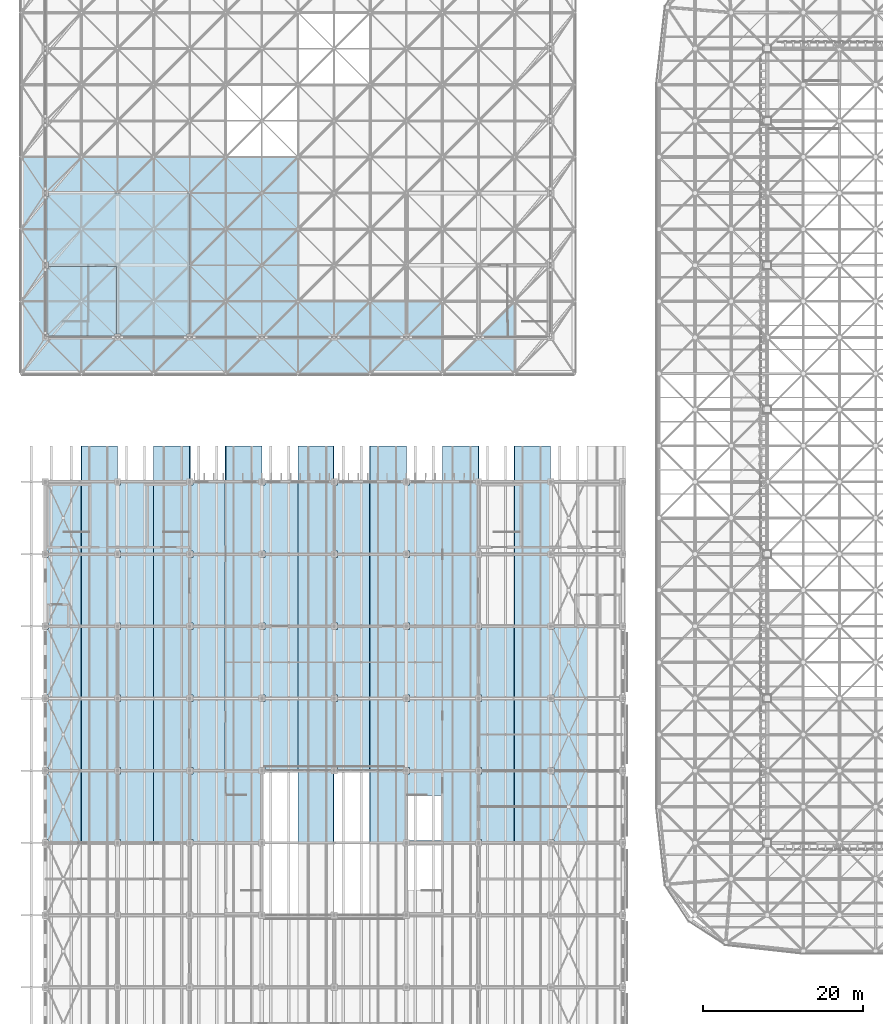
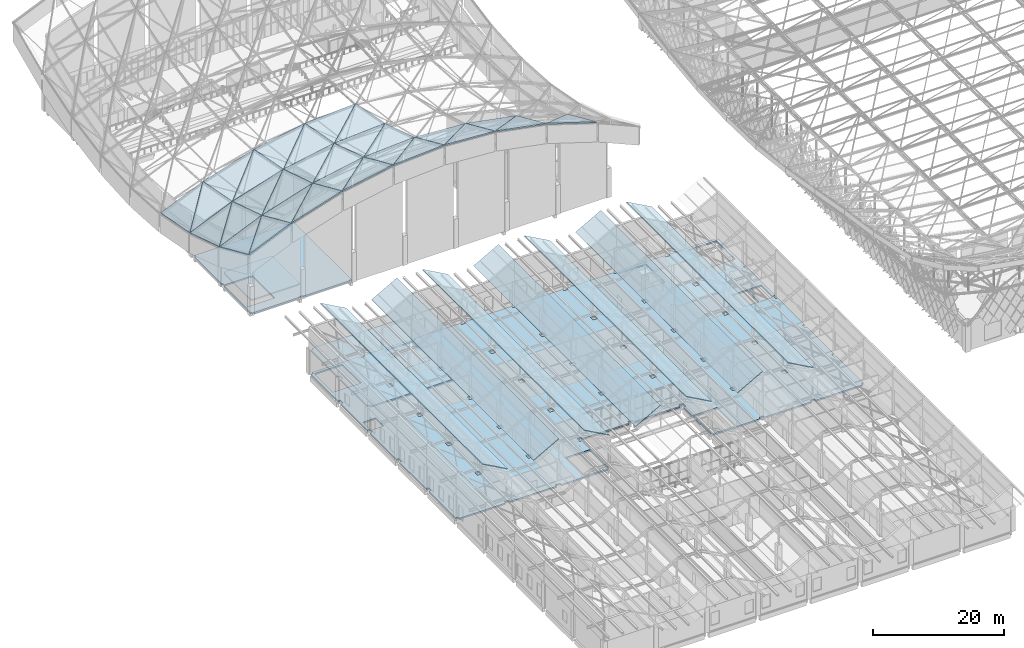
# One storey, part 240 of 437: 41 slabs.
"""IFC4 building model written with IfcOpenShell, lengths in metres."""

from ifc_helpers import new_model, si_unit, direction, frame, origin, place, context, subcontext, project, spatial, polyline, outline, extrude, material, layer, layer_set, type_object, element, save


model = new_model("IFC4")

# Units and contexts
model_context = context("Model", 3, precision=1e-05, world=origin(), true_north=direction((0.0, 1.0)))
body_context = subcontext(model_context, "Body", "Model", "MODEL_VIEW")
ifc_project = project(units=[si_unit("LENGTHUNIT", "METRE"), si_unit("AREAUNIT", "SQUARE_METRE"), si_unit("VOLUMEUNIT", "CUBIC_METRE"), si_unit("PLANEANGLEUNIT", "RADIAN"), si_unit("MASSUNIT", "GRAM", prefix="KILO")], contexts=[model_context])

# Site, building, storey
site_placement = place(None, origin())
site = spatial("IfcSite", under=ifc_project, at=site_placement, CompositionType="ELEMENT")
building_placement = place(site_placement, origin())
building = spatial("IfcBuilding", under=site, at=building_placement, Name="Opaline Strait Convention Centre", CompositionType="ELEMENT")
storey_placement = place(building_placement, frame((0.0, 0.0, 11.5)))
storey = spatial("IfcBuildingStorey", under=building, at=storey_placement, Name="L02", CompositionType="ELEMENT", Elevation=11.5)

# Slabs
ifc_material_1 = material(Name="Concrete C35", Category="concrete")
ifc_layer_1 = layer(ifc_material_1, 0.25)
ifc_layer_set_1 = layer_set([ifc_layer_1], Name="Concrete C35")
slab_type_1 = type_object("IfcSlabType", Name="Core roof slab 250", PredefinedType="ROOF", material=ifc_layer_set_1)
slab_1_placement = place(storey_placement, frame((0.0, 0.0, 2.25)))
element("IfcSlab", 1, at=slab_1_placement, inside=storey, type_object=slab_type_1, Name="PFS10 SW core roof slab", PredefinedType="ROOF", context=body_context, shape_type="SweptSolid", body=[
    extrude(outline(polyline([(17.85009765625, 125.85009765625), (17.85009765625, 117.39990234375), (17.60009765625, 117.39990234375), (17.60009765625, 117.25), (9.39990234375, 117.25), (9.39990234375, 117.39990234375), (9.199951171875, 117.39990234375), (9.199951171875, 125.60009765625), (9.39990234375, 125.60009765625), (9.39990234375, 125.85009765625), (17.85009765625, 125.85009765625)])), origin(), (0.0, 0.0, 1.0), 0.25),
])
ifc_layer_2 = layer(ifc_material_1, 0.280029296875)
ifc_layer_set_2 = layer_set([ifc_layer_2], Name="Concrete C35")
slab_type_2 = type_object("IfcSlabType", Name="Floor slab 280 C35", PredefinedType="FLOOR", material=ifc_layer_set_2)
slab_2_placement = place(storey_placement, frame((0.0, 0.0, -0.280029296875)))
element("IfcSlab", 2, at=slab_2_placement, inside=storey, type_object=slab_type_2, Name="PFS2 L02 wing w l02 slab", PredefinedType="FLOOR", context=body_context, shape_type="SweptSolid", body=[
    extrude(outline(polyline([(18.39990234375, 117.25), (18.39990234375, 117.39990234375), (17.60009765625, 117.39990234375), (17.60009765625, 117.25), (9.39990234375, 117.25), (9.39990234375, 117.39990234375), (9.199951171875, 117.39990234375), (9.199951171875, 125.60009765625), (9.39990234375, 125.60009765625), (9.39990234375, 119.05078125), (14.35009765625, 119.05078125), (14.35009765625, 125.85009765625), (9.39990234375, 125.85009765625), (9.39990234375, 126.39990234375), (9.199951171875, 126.39990234375), (9.199951171875, 134.60009765625), (9.39990234375, 134.60009765625), (9.39990234375, 135.0), (27.0, 135.0), (27.0, 117.39990234375), (26.60009765625, 117.39990234375), (26.60009765625, 117.25), (18.39990234375, 117.25)])), origin(), (0.0, 0.0, 1.0), 0.280029296875),
])
ifc_layer_3 = layer(ifc_material_1, 0.25)
ifc_layer_set_3 = layer_set([ifc_layer_3], Name="Concrete C35")
slab_type_3 = type_object("IfcSlabType", Name="RC core roof slab 250 C35", PredefinedType="ROOF", material=ifc_layer_set_3)
slab_3_placement = place(storey_placement, frame((0.0, 0.0, 4.300048828125)))
element("IfcSlab", 3, at=slab_3_placement, inside=storey, type_object=slab_type_3, Name="RS3 core roof slab NW", PredefinedType="ROOF", context=body_context, shape_type="SweptSolid", body=[
    extrude(outline(polyline([(27.0, 81.39990234375), (26.60009765625, 81.39990234375), (26.60009765625, 81.0), (18.39990234375, 81.0), (18.39990234375, 81.39990234375), (17.60009765625, 81.39990234375), (17.60009765625, 81.0), (9.39990234375, 81.0), (9.39990234375, 81.39990234375), (9.0, 81.39990234375), (9.0, 89.60009765625), (9.39990234375, 89.60009765625), (9.39990234375, 90.39990234375), (9.0, 90.39990234375), (9.0, 98.60009765625), (9.39990234375, 98.60009765625), (9.39990234375, 99.0), (17.60009765625, 99.0), (17.60009765625, 98.60009765625), (18.39990234375, 98.60009765625), (18.39990234375, 99.0), (26.60009765625, 99.0), (26.60009765625, 98.60009765625), (27.0, 98.60009765625), (27.0, 90.39990234375), (26.60009765625, 90.39990234375), (26.60009765625, 89.60009765625), (27.0, 89.60009765625), (27.0, 81.39990234375)]), holes=[polyline([(17.60009765625, 90.39990234375), (17.60009765625, 89.60009765625), (18.39990234375, 89.60009765625), (18.39990234375, 90.39990234375), (17.60009765625, 90.39990234375)])]), origin(), (0.0, 0.0, 1.0), 0.25),
])
ifc_layer_4 = layer(ifc_material_1, 0.280029296875)
ifc_layer_set_4 = layer_set([ifc_layer_4], Name="Concrete C35")
slab_type_4 = type_object("IfcSlabType", Name="RC floor slab 280 C35", PredefinedType="FLOOR", material=ifc_layer_set_4)
slab_4_placement = place(storey_placement, frame((0.0, 0.0, -0.280029296875)))
element("IfcSlab", 4, at=slab_4_placement, inside=storey, type_object=slab_type_4, Name="XS2 slab L02 pour NW1", PredefinedType="FLOOR", context=body_context, shape_type="SweptSolid", body=[
    extrude(outline(polyline([(9.39990234375, 54.39990234375), (9.0, 54.39990234375), (9.0, 62.60009765625), (9.39990234375, 62.60009765625), (9.39990234375, 63.39990234375), (9.0, 63.39990234375), (9.0, 71.60009765625), (9.39990234375, 71.60009765625), (9.39990234375, 72.39990234375), (9.0, 72.39990234375), (9.0, 80.60009765625), (9.39990234375, 80.60009765625), (9.39990234375, 81.39990234375), (9.0, 81.39990234375), (9.0, 89.60009765625), (9.39990234375, 89.60009765625), (9.39990234375, 90.39990234375), (9.0, 90.39990234375), (9.0, 98.60009765625), (9.39990234375, 98.60009765625), (9.39990234375, 99.0), (17.60009765625, 99.0), (17.60009765625, 98.60009765625), (18.39990234375, 98.60009765625), (18.39990234375, 99.0), (26.60009765625, 99.0), (26.60009765625, 98.60009765625), (27.39990234375, 98.60009765625), (27.39990234375, 99.0), (35.60009765625, 99.0), (35.60009765625, 98.60009765625), (36.39990234375, 98.60009765625), (36.39990234375, 99.0), (44.60009765625, 99.0), (44.60009765625, 98.60009765625), (45.0, 98.60009765625), (45.0, 90.39990234375), (44.60009765625, 90.39990234375), (44.60009765625, 89.60009765625), (45.0, 89.60009765625), (45.0, 81.39990234375), (44.60009765625, 81.39990234375), (44.60009765625, 80.60009765625), (45.0, 80.60009765625), (45.0, 72.39990234375), (44.60009765625, 72.39990234375), (44.60009765625, 71.60009765625), (45.0, 71.60009765625), (45.0, 63.39990234375), (44.60009765625, 63.39990234375), (44.60009765625, 63.0), (36.39990234375, 63.0), (36.39990234375, 63.39990234375), (35.60009765625, 63.39990234375), (35.60009765625, 62.60009765625), (36.0, 62.60009765625), (36.0, 54.39990234375), (35.85009765625, 54.39990234375), (35.85009765625, 59.899169921875), (31.64990234375, 59.899169921875), (31.64990234375, 54.300048828125), (35.60009765625, 54.300048828125), (35.60009765625, 54.0), (27.39990234375, 54.0), (27.39990234375, 54.39990234375), (26.60009765625, 54.39990234375), (26.60009765625, 54.0), (18.39990234375, 54.0), (18.39990234375, 54.39990234375), (17.60009765625, 54.39990234375), (17.60009765625, 54.0), (9.39990234375, 54.0), (9.39990234375, 54.39990234375)]), holes=[polyline([(17.60009765625, 62.60009765625), (18.39990234375, 62.60009765625), (18.39990234375, 63.39990234375), (17.60009765625, 63.39990234375), (17.60009765625, 62.60009765625)]), polyline([(17.60009765625, 71.60009765625), (18.39990234375, 71.60009765625), (18.39990234375, 72.39990234375), (17.60009765625, 72.39990234375), (17.60009765625, 71.60009765625)]), polyline([(17.60009765625, 80.60009765625), (18.39990234375, 80.60009765625), (18.39990234375, 81.39990234375), (17.60009765625, 81.39990234375), (17.60009765625, 80.60009765625)]), polyline([(9.5, 81.14990234375), (11.699951171875, 81.14990234375), (11.699951171875, 83.550048828125), (9.5, 83.550048828125), (9.5, 81.14990234375)]), polyline([(17.60009765625, 89.60009765625), (18.39990234375, 89.60009765625), (18.39990234375, 90.39990234375), (17.60009765625, 90.39990234375), (17.60009765625, 89.60009765625)]), polyline([(21.89990234375, 92.80078125), (26.85009765625, 92.80078125), (26.85009765625, 98.5), (21.89990234375, 98.5), (21.89990234375, 92.80078125)]), polyline([(9.5, 92.80078125), (14.449951171875, 92.80078125), (14.449951171875, 98.5), (9.5, 98.5), (9.5, 92.80078125)]), polyline([(26.60009765625, 62.60009765625), (27.39990234375, 62.60009765625), (27.39990234375, 63.39990234375), (26.60009765625, 63.39990234375), (26.60009765625, 62.60009765625)]), polyline([(26.60009765625, 71.60009765625), (27.39990234375, 71.60009765625), (27.39990234375, 72.39990234375), (26.60009765625, 72.39990234375), (26.60009765625, 71.60009765625)]), polyline([(35.60009765625, 71.60009765625), (36.39990234375, 71.60009765625), (36.39990234375, 72.39990234375), (35.60009765625, 72.39990234375), (35.60009765625, 71.60009765625)]), polyline([(35.60009765625, 80.60009765625), (36.39990234375, 80.60009765625), (36.39990234375, 81.39990234375), (35.60009765625, 81.39990234375), (35.60009765625, 80.60009765625)]), polyline([(26.60009765625, 80.60009765625), (27.39990234375, 80.60009765625), (27.39990234375, 81.39990234375), (26.60009765625, 81.39990234375), (26.60009765625, 80.60009765625)]), polyline([(35.60009765625, 89.60009765625), (36.39990234375, 89.60009765625), (36.39990234375, 90.39990234375), (35.60009765625, 90.39990234375), (35.60009765625, 89.60009765625)]), polyline([(26.60009765625, 89.60009765625), (27.39990234375, 89.60009765625), (27.39990234375, 90.39990234375), (26.60009765625, 90.39990234375), (26.60009765625, 89.60009765625)])]), origin(), (0.0, 0.0, 1.0), 0.280029296875),
])
slab_5_placement = place(storey_placement, frame((0.0, 0.0, -0.280029296875)))
element("IfcSlab", 5, at=slab_5_placement, inside=storey, type_object=slab_type_4, Name="XS2 slab L02 pour NE1", PredefinedType="FLOOR", context=body_context, shape_type="SweptSolid", body=[
    extrude(outline(polyline([(45.39990234375, 98.60009765625), (45.39990234375, 99.0), (53.60009765625, 99.0), (53.60009765625, 98.60009765625), (54.39990234375, 98.60009765625), (54.39990234375, 99.0), (62.60009765625, 99.0), (62.60009765625, 98.60009765625), (63.39990234375, 98.60009765625), (63.39990234375, 99.0), (71.60009765625, 99.0), (71.60009765625, 98.60009765625), (72.39990234375, 98.60009765625), (72.39990234375, 99.0), (80.60009765625, 99.0), (80.60009765625, 98.60009765625), (81.0, 98.60009765625), (81.0, 90.39990234375), (80.60009765625, 90.39990234375), (80.60009765625, 89.60009765625), (81.0, 89.60009765625), (81.0, 81.39990234375), (80.60009765625, 81.39990234375), (80.60009765625, 80.60009765625), (81.0, 80.60009765625), (81.0, 72.39990234375), (80.60009765625, 72.39990234375), (80.60009765625, 71.60009765625), (81.0, 71.60009765625), (81.0, 63.39990234375), (80.60009765625, 63.39990234375), (80.60009765625, 62.60009765625), (81.0, 62.60009765625), (81.0, 54.39990234375), (80.60009765625, 54.39990234375), (80.60009765625, 54.0), (72.39990234375, 54.0), (72.39990234375, 54.39990234375), (71.60009765625, 54.39990234375), (71.60009765625, 54.0), (63.39990234375, 54.0), (63.39990234375, 54.39990234375), (62.60009765625, 54.39990234375), (62.60009765625, 54.0), (54.39990234375, 54.0), (54.39990234375, 54.300048828125), (58.35009765625, 54.300048828125), (58.35009765625, 59.899169921875), (54.14990234375, 59.899169921875), (54.14990234375, 54.39990234375), (54.0, 54.39990234375), (54.0, 62.60009765625), (54.39990234375, 62.60009765625), (54.39990234375, 63.39990234375), (53.60009765625, 63.39990234375), (53.60009765625, 63.0), (45.39990234375, 63.0), (45.39990234375, 63.39990234375), (45.0, 63.39990234375), (45.0, 71.60009765625), (45.39990234375, 71.60009765625), (45.39990234375, 72.39990234375), (45.0, 72.39990234375), (45.0, 80.60009765625), (45.39990234375, 80.60009765625), (45.39990234375, 81.39990234375), (45.0, 81.39990234375), (45.0, 89.60009765625), (45.39990234375, 89.60009765625), (45.39990234375, 90.39990234375), (45.0, 90.39990234375), (45.0, 98.60009765625), (45.39990234375, 98.60009765625)]), holes=[polyline([(62.60009765625, 62.60009765625), (63.39990234375, 62.60009765625), (63.39990234375, 63.39990234375), (62.60009765625, 63.39990234375), (62.60009765625, 62.60009765625)]), polyline([(62.60009765625, 71.60009765625), (63.39990234375, 71.60009765625), (63.39990234375, 72.39990234375), (62.60009765625, 72.39990234375), (62.60009765625, 71.60009765625)]), polyline([(53.60009765625, 71.60009765625), (54.39990234375, 71.60009765625), (54.39990234375, 72.39990234375), (53.60009765625, 72.39990234375), (53.60009765625, 71.60009765625)]), polyline([(53.60009765625, 80.60009765625), (54.39990234375, 80.60009765625), (54.39990234375, 81.39990234375), (53.60009765625, 81.39990234375), (53.60009765625, 80.60009765625)]), polyline([(62.60009765625, 80.60009765625), (63.39990234375, 80.60009765625), (63.39990234375, 81.39990234375), (62.60009765625, 81.39990234375), (62.60009765625, 80.60009765625)]), polyline([(62.60009765625, 89.60009765625), (63.39990234375, 89.60009765625), (63.39990234375, 90.39990234375), (62.60009765625, 90.39990234375), (62.60009765625, 89.60009765625)]), polyline([(53.60009765625, 89.60009765625), (54.39990234375, 89.60009765625), (54.39990234375, 90.39990234375), (53.60009765625, 90.39990234375), (53.60009765625, 89.60009765625)]), polyline([(71.60009765625, 62.60009765625), (72.39990234375, 62.60009765625), (72.39990234375, 63.39990234375), (71.60009765625, 63.39990234375), (71.60009765625, 62.60009765625)]), polyline([(71.60009765625, 71.60009765625), (72.39990234375, 71.60009765625), (72.39990234375, 72.39990234375), (71.60009765625, 72.39990234375), (71.60009765625, 71.60009765625)]), polyline([(71.60009765625, 80.60009765625), (72.39990234375, 80.60009765625), (72.39990234375, 81.39990234375), (71.60009765625, 81.39990234375), (71.60009765625, 80.60009765625)]), polyline([(75.300048828125, 81.14990234375), (78.0, 81.14990234375), (78.0, 84.75), (75.300048828125, 84.75), (75.300048828125, 81.14990234375)]), polyline([(78.300048828125, 81.14990234375), (80.5, 81.14990234375), (80.5, 84.75), (78.300048828125, 84.75), (78.300048828125, 81.14990234375)]), polyline([(71.60009765625, 89.60009765625), (72.39990234375, 89.60009765625), (72.39990234375, 90.39990234375), (71.60009765625, 90.39990234375), (71.60009765625, 89.60009765625)]), polyline([(75.550048828125, 92.80078125), (80.5, 92.80078125), (80.5, 98.5), (75.550048828125, 98.5), (75.550048828125, 92.80078125)]), polyline([(63.14990234375, 92.80078125), (68.10009765625, 92.80078125), (68.10009765625, 98.5), (63.14990234375, 98.5), (63.14990234375, 92.80078125)])]), origin(), (0.0, 0.0, 1.0), 0.280029296875),
])
ifc_material_2 = material(Name="Concrete C30", Category="concrete")
ifc_layer_5 = layer(ifc_material_2, 0.14990234375)
ifc_layer_set_5 = layer_set([ifc_layer_5], Name="Concrete C30")
slab_type_5 = type_object("IfcSlabType", Name="Roof deck 150 C30", PredefinedType="ROOF", material=ifc_layer_set_5)
for number, where, z_axis, x_axis, name in (
    (6, (13.5, 54.0, 8.75), (0.485642931179, 0.0, 0.874157276122), (0.874157276122, 0.0, -0.485642931179), "RS4 roof deck facet 2 north pour"),
    (7, (22.5, 54.0, 6.25), (-0.485642931179, 0.0, 0.874157276122), (0.874157276122, 0.0, 0.485642931179), "RS4 roof deck facet 4 north pour"),
    (8, (31.5, 54.0, 8.75), (0.485642931179, 0.0, 0.874157276122), (0.874157276122, 0.0, -0.485642931179), "RS4 roof deck facet 6 north pour"),
):
    element("IfcSlab", number, at=place(storey_placement, frame(where, z_axis=z_axis, x_axis=x_axis)), inside=storey, type_object=slab_type_5, Name=name, PredefinedType="ROOF", context=body_context, shape_type="SweptSolid", body=[
        extrude(outline(polyline([(0.0, 0.0), (5.1478150704935, 0.0), (5.1478150704935, 49.5), (0.0, 49.5), (0.0, 0.0)])), origin(), (0.0, 0.0, -1.0), 0.14990234375),
    ])
slab_6_placement = place(storey_placement, frame((40.5, 54.0, 6.25), z_axis=(-0.485634739414, 0.0, 0.874161827051), x_axis=(0.874161827051, 0.0, 0.485634739414)))
element("IfcSlab", 9, at=slab_6_placement, inside=storey, type_object=slab_type_5, Name="RS4 roof deck facet 8 north pour", PredefinedType="ROOF", context=body_context, shape_type="SweptSolid", body=[
    extrude(outline(polyline([(0.0, 0.0), (5.060930515059539, 0.0), (5.060930515059539, 49.5), (0.0, 49.5), (0.0, 0.0)])), origin(), (0.0, 0.0, -1.0), 0.14990234375),
])
for number, where, z_axis, x_axis, name in (
    (10, (49.5, 54.0, 8.75), (0.485642931179, 0.0, 0.874157276122), (0.874157276122, 0.0, -0.485642931179), "RS4 roof deck facet 10 north pour"),
    (11, (58.5, 54.0, 6.25), (-0.485642931179, 0.0, 0.874157276122), (0.874157276122, 0.0, 0.485642931179), "RS4 roof deck facet 12 north pour"),
    (12, (67.5, 54.0, 8.75), (0.485642931179, 0.0, 0.874157276122), (0.874157276122, 0.0, -0.485642931179), "RS4 roof deck facet 14 north pour"),
):
    element("IfcSlab", number, at=place(storey_placement, frame(where, z_axis=z_axis, x_axis=x_axis)), inside=storey, type_object=slab_type_5, Name=name, PredefinedType="ROOF", context=body_context, shape_type="SweptSolid", body=[
        extrude(outline(polyline([(0.0, 0.0), (5.1478150704935, 0.0), (5.1478150704935, 49.5), (0.0, 49.5), (0.0, 0.0)])), origin(), (0.0, 0.0, -1.0), 0.14990234375),
    ])
ifc_material_3 = material(Name="Steel Q235-B profiled roof deck with insulation and membrane", Category="steel")
ifc_layer_6 = layer(ifc_material_3, 0.199951171875)
ifc_layer_set_6 = layer_set([ifc_layer_6], Name="Steel Q235-B profiled roof deck with insulation and membrane")
slab_type_6 = type_object("IfcSlabType", Name="Shell roof deck panel 200", PredefinedType="ROOF", material=ifc_layer_set_6)
slab_7_placement = place(storey_placement, frame((6.03857421875, 112.523193359375, 14.98779296875), z_axis=(-0.368571911623, 0.377550318462, 0.849476605323), x_axis=(0.917372173394, 0.0, 0.398030520792)))
element("IfcSlab", 13, at=slab_7_placement, inside=storey, type_object=slab_type_6, Name="PRD1 roof deck 1-1a", PredefinedType="ROOF", context=body_context, shape_type="SweptSolid", body=[
    extrude(outline(polyline([(0.0, 0.0), (8.112453034563291, -2.220446049250313e-16), (6.532575054328767, 9.644459481906674), (0.0, 0.0)])), origin(), (0.0, 0.0, -1.0), 0.199951171875),
])
slab_8_placement = place(storey_placement, frame((6.019287109375, 112.546142578125, 14.96923828125), z_axis=(-0.368571911623, 0.377550318462, 0.849476605323), x_axis=(0.638886365564, 0.766672022188, -0.063547008509)))
element("IfcSlab", 14, at=slab_8_placement, inside=storey, type_object=slab_type_6, Name="PRD1 roof deck 1-1b", PredefinedType="ROOF", context=body_context, shape_type="SweptSolid", body=[
    extrude(outline(polyline([(0.0, 0.0), (11.648610884503698, 1.6653345369377348e-16), (7.099123495110161, 6.71669998821924), (0.0, 0.0)])), origin(), (0.0, 0.0, -1.0), 0.199951171875),
])
slab_9_placement = place(storey_placement, frame((6.03857421875, 121.523193359375, 10.982421875), z_axis=(-0.382153424554, 0.279619637498, 0.88077898387), x_axis=(0.917372173394, 0.0, 0.398030520792)))
element("IfcSlab", 15, at=slab_9_placement, inside=storey, type_object=slab_type_6, Name="PRD1 roof deck 1-2a", PredefinedType="ROOF", context=body_context, shape_type="SweptSolid", body=[
    extrude(outline(polyline([(0.0, 0.0), (8.112453034563291, 0.0), (6.983954880764329, 9.301700938491148), (0.0, 0.0)])), origin(), (0.0, 0.0, -1.0), 0.199951171875),
])
slab_10_placement = place(storey_placement, frame((6.019287109375, 121.546142578125, 10.966796875), z_axis=(-0.382153424554, 0.279619637498, 0.88077898387), x_axis=(0.639813276259, 0.767784327184, 0.033855552754)))
element("IfcSlab", 16, at=slab_10_placement, inside=storey, type_object=slab_type_6, Name="PRD1 roof deck 1-2b", PredefinedType="ROOF", context=body_context, shape_type="SweptSolid", body=[
    extrude(outline(polyline([(0.0, 0.0), (11.631735301565241, -5.551115123125783e-17), (6.76083646344557, 6.487390750278543), (0.0, 0.0)])), origin(), (0.0, 0.0, -1.0), 0.199951171875),
])
slab_11_placement = place(storey_placement, frame((6.03857421875, 130.523193359375, 8.12255859375), z_axis=(-0.392065593497, 0.172116642778, 0.903692664391), x_axis=(0.917383161964, 0.0, 0.398005193615)))
element("IfcSlab", 17, at=slab_11_placement, inside=storey, type_object=slab_type_6, Name="PRD1 roof deck 1-3a", PredefinedType="ROOF", context=body_context, shape_type="SweptSolid", body=[
    extrude(outline(polyline([(0.0, 0.0), (8.112355862234853, 1.1102230246251565e-16), (7.435377789989298, 9.065959212598178), (0.0, 0.0)])), origin(), (0.0, 0.0, -1.0), 0.199951171875),
])
slab_12_placement = place(storey_placement, frame((6.019287109375, 130.546142578125, 8.10986328125), z_axis=(-0.39208901457, 0.172138614499, 0.903678317794), x_axis=(0.634722054518, 0.761674794287, 0.130305108328)))
element("IfcSlab", 18, at=slab_12_placement, inside=storey, type_object=slab_type_6, Name="PRD1 roof deck 1-3b", PredefinedType="ROOF", context=body_context, shape_type="SweptSolid", body=[
    extrude(outline(polyline([(0.0, 0.0), (11.725035578809981, -8.881784197001252e-16), (6.580590327195701, 6.272685014500443), (0.0, 0.0)])), origin(), (0.0, 0.0, -1.0), 0.199951171875),
])
slab_13_placement = place(storey_placement, frame((13.546142578125, 112.523193359375, 18.232421875), z_axis=(-0.278596033271, 0.390063237076, 0.87763028738), x_axis=(0.953129515183, 0.0, 0.30256260061)))
element("IfcSlab", 19, at=slab_13_placement, inside=storey, type_object=slab_type_6, Name="PRD1 roof deck 2-1a", PredefinedType="ROOF", context=body_context, shape_type="SweptSolid", body=[
    extrude(outline(polyline([(0.0, 0.0), (9.36983266202657, 0.0), (8.168889605212192, 9.69893545214416), (0.0, 0.0)])), origin(), (0.0, 0.0, -1.0), 0.199951171875),
])
slab_14_placement = place(storey_placement, frame((13.523193359375, 112.546142578125, 18.214599609375), z_axis=(-0.278598640449, 0.390042895089, 0.877638500483), x_axis=(0.704273480481, 0.704273480481, -0.089430025064)))
element("IfcSlab", 20, at=slab_14_placement, inside=storey, type_object=slab_type_6, Name="PRD1 roof deck 2-1b", PredefinedType="ROOF", context=body_context, shape_type="SweptSolid", body=[
    extrude(outline(polyline([(0.0, 0.0), (12.680676342382055, -3.3306690738754696e-16), (6.644577107775828, 7.166538225975357), (0.0, 0.0)])), origin(), (0.0, 0.0, -1.0), 0.199951171875),
])
slab_15_placement = place(storey_placement, frame((13.546142578125, 121.523193359375, 14.2265625), z_axis=(-0.289618114012, 0.289618114012, 0.912273366964), x_axis=(0.953122000875, 0.0, 0.302586271082)))
element("IfcSlab", 21, at=slab_15_placement, inside=storey, type_object=slab_type_6, Name="PRD1 roof deck 2-2a", PredefinedType="ROOF", context=body_context, shape_type="SweptSolid", body=[
    extrude(outline(polyline([(0.0, 0.0), (9.369906532738456, 2.220446049250313e-16), (8.51201240039683, 9.330550149372147), (0.0, 0.0)])), origin(), (0.0, 0.0, -1.0), 0.199951171875),
])
slab_16_placement = place(storey_placement, frame((13.523193359375, 121.546142578125, 14.2119140625), z_axis=(-0.289618114012, 0.289618114012, 0.912273366964), x_axis=(0.707106781187, 0.707106781187, 0.0)))
element("IfcSlab", 22, at=slab_16_placement, inside=storey, type_object=slab_type_6, Name="PRD1 roof deck 2-2b", PredefinedType="ROOF", context=body_context, shape_type="SweptSolid", body=[
    extrude(outline(polyline([(0.0, 0.0), (12.629866238185503, 0.0), (6.314933119092752, 6.922193881540757), (0.0, 0.0)])), origin(), (0.0, 0.0, -1.0), 0.199951171875),
])
slab_17_placement = place(storey_placement, frame((13.546142578125, 130.523193359375, 11.366455078125), z_axis=(-0.297697203384, 0.178613194624, 0.937802592129), x_axis=(0.953129515183, 0.0, 0.30256260061)))
element("IfcSlab", 23, at=slab_17_placement, inside=storey, type_object=slab_type_6, Name="PRD1 roof deck 2-3a", PredefinedType="ROOF", context=body_context, shape_type="SweptSolid", body=[
    extrude(outline(polyline([(0.0, 0.0), (9.36983266202657, 5.551115123125783e-17), (8.855195543264989, 9.076621860074809), (0.0, 0.0)])), origin(), (0.0, 0.0, -1.0), 0.199951171875),
])
slab_18_placement = place(storey_placement, frame((13.523193359375, 130.546142578125, 11.354736328125), z_axis=(-0.297719204738, 0.178636650186, 0.937791140042), x_axis=(0.704273480481, 0.704273480481, 0.089430025064)))
element("IfcSlab", 24, at=slab_18_placement, inside=storey, type_object=slab_type_6, Name="PRD1 roof deck 2-3b", PredefinedType="ROOF", context=body_context, shape_type="SweptSolid", body=[
    extrude(outline(polyline([(0.0, 0.0), (12.680676342382055, 5.551115123125783e-17), (6.13749401888265, 6.706855709920984), (0.0, 0.0)])), origin(), (0.0, 0.0, -1.0), 0.199951171875),
])
slab_19_placement = place(storey_placement, frame((22.546142578125, 112.523193359375, 21.077880859375), z_axis=(-0.171467599431, 0.400107472936, 0.900284884049), x_axis=(0.982341621958, 0.0, 0.187096065615)))
element("IfcSlab", 25, at=slab_19_placement, inside=storey, type_object=slab_type_6, Name="PRD1 roof deck 3-1a", PredefinedType="ROOF", context=body_context, shape_type="SweptSolid", body=[
    extrude(outline(polyline([(0.0, 0.0), (9.091199907316696, -1.1102230246251565e-16), (8.348616719158256, 9.744652138183746), (0.0, 0.0)])), origin(), (0.0, 0.0, -1.0), 0.199951171875),
])
slab_20_placement = place(storey_placement, frame((22.523193359375, 112.546142578125, 21.063232421875), z_axis=(-0.171465910927, 0.400128144087, 0.900276018618), x_axis=(0.695971316144, 0.695971316144, -0.176770625979)))
element("IfcSlab", 26, at=slab_20_placement, inside=storey, type_object=slab_type_6, Name="PRD1 roof deck 3-1b", PredefinedType="ROOF", context=body_context, shape_type="SweptSolid", body=[
    extrude(outline(polyline([(0.0, 0.0), (12.831942718525609, 3.3306690738754696e-16), (6.917130757255044, 6.903978216767905), (0.0, 0.0)])), origin(), (0.0, 0.0, -1.0), 0.199951171875),
])
slab_21_placement = place(storey_placement, frame((22.546142578125, 121.523193359375, 17.072021484375), z_axis=(-0.178611831392, 0.297720568101, 0.937795434525), x_axis=(0.982341621958, 0.0, 0.187096065615)))
element("IfcSlab", 27, at=slab_21_placement, inside=storey, type_object=slab_type_6, Name="PRD1 roof deck 3-2a", PredefinedType="ROOF", context=body_context, shape_type="SweptSolid", body=[
    extrude(outline(polyline([(0.0, 0.0), (9.091199907316696, 0.0), (8.560744191988901, 9.354879217089385), (0.0, 0.0)])), origin(), (0.0, 0.0, -1.0), 0.199951171875),
])
slab_22_placement = place(storey_placement, frame((22.523193359375, 121.546142578125, 17.06005859375), z_axis=(-0.178613194624, 0.297697203384, 0.937802592129), x_axis=(0.704273480481, 0.704273480481, -0.089430025064)))
element("IfcSlab", 28, at=slab_22_placement, inside=storey, type_object=slab_type_6, Name="PRD1 roof deck 3-2b", PredefinedType="ROOF", context=body_context, shape_type="SweptSolid", body=[
    extrude(outline(polyline([(0.0, 0.0), (12.680676342382055, -4.996003610813204e-16), (6.5431604899971925, 6.706773808361184), (0.0, 0.0)])), origin(), (0.0, 0.0, -1.0), 0.199951171875),
])
slab_23_placement = place(storey_placement, frame((22.546142578125, 130.523193359375, 14.21142578125), z_axis=(-0.183929571369, 0.183929571369, 0.965577457044), x_axis=(0.982336685972, 0.0, 0.187121979985)))
element("IfcSlab", 29, at=slab_23_placement, inside=storey, type_object=slab_type_6, Name="PRD1 roof deck 3-3a", PredefinedType="ROOF", context=body_context, shape_type="SweptSolid", body=[
    extrude(outline(polyline([(0.0, 0.0), (9.091245588230473, 5.551115123125783e-17), (8.7729189386856, 9.085670833224675), (0.0, 0.0)])), origin(), (0.0, 0.0, -1.0), 0.199951171875),
])
slab_24_placement = place(storey_placement, frame((22.523193359375, 130.546142578125, 14.20263671875), z_axis=(-0.183904960669, 0.183904960669, 0.965586832389), x_axis=(0.707106781187, 0.707106781187, 0.0)))
element("IfcSlab", 30, at=slab_24_placement, inside=storey, type_object=slab_type_6, Name="PRD1 roof deck 3-3b", PredefinedType="ROOF", context=body_context, shape_type="SweptSolid", body=[
    extrude(outline(polyline([(0.0, 0.0), (12.629866238185503, 0.0), (6.314933119092752, 6.539995065455369), (0.0, 0.0)])), origin(), (0.0, 0.0, -1.0), 0.199951171875),
])
slab_25_placement = place(storey_placement, frame((31.546142578125, 112.523193359375, 22.783203125), z_axis=(-0.05793368214, 0.405460957481, 0.912274684748), x_axis=(0.997989658383, 0.0, 0.063376981313)))
element("IfcSlab", 31, at=slab_25_placement, inside=storey, type_object=slab_type_6, Name="PRD1 roof deck 4-1a", PredefinedType="ROOF", context=body_context, shape_type="SweptSolid", body=[
    extrude(outline(polyline([(0.0, 0.0), (8.948653913878061, -5.551115123125783e-17), (8.697095573501036, 9.769766196381378), (0.0, 0.0)])), origin(), (0.0, 0.0, -1.0), 0.199951171875),
])
slab_26_placement = place(storey_placement, frame((31.523193359375, 112.546142578125, 22.771484375), z_axis=(-0.057909412182, 0.405440703636, 0.912285227226), x_axis=(0.682769682417, 0.682769682417, -0.260098292085)))
element("IfcSlab", 32, at=slab_26_placement, inside=storey, type_object=slab_type_6, Name="PRD1 roof deck 4-1b", PredefinedType="ROOF", context=body_context, shape_type="SweptSolid", body=[
    extrude(outline(polyline([(0.0, 0.0), (13.080053629346004, -4.440892098500626e-16), (7.129915262994524, 6.683859919841403), (0.0, 0.0)])), origin(), (0.0, 0.0, -1.0), 0.199951171875),
])
slab_27_placement = place(storey_placement, frame((31.546142578125, 121.523193359375, 18.777099609375), z_axis=(-0.060417105682, 0.30203351196, 0.95138085486), x_axis=(0.997989658383, 0.0, 0.063376981313)))
element("IfcSlab", 33, at=slab_27_placement, inside=storey, type_object=slab_type_6, Name="PRD1 roof deck 4-2a", PredefinedType="ROOF", context=body_context, shape_type="SweptSolid", body=[
    extrude(outline(polyline([(0.0, 0.0), (8.948653913878061, -2.7755575615628914e-17), (8.76896717462364, 9.368183447605567), (0.0, 0.0)])), origin(), (0.0, 0.0, -1.0), 0.199951171875),
])
slab_28_placement = place(storey_placement, frame((31.523193359375, 121.546142578125, 18.768310546875), z_axis=(-0.060391666713, 0.302010350504, 0.951389822722), x_axis=(0.695973656748, 0.695973656748, -0.176752194401)))
element("IfcSlab", 34, at=slab_28_placement, inside=storey, type_object=slab_type_6, Name="PRD1 roof deck 4-2b", PredefinedType="ROOF", context=body_context, shape_type="SweptSolid", body=[
    extrude(outline(polyline([(0.0, 0.0), (12.831899563884445, -7.771561172376096e-16), (6.71659249151055, 6.5330811580267385), (0.0, 0.0)])), origin(), (0.0, 0.0, -1.0), 0.199951171875),
])
slab_29_placement = place(storey_placement, frame((31.546142578125, 130.523193359375, 15.916748046875), z_axis=(-0.06226191224, 0.186758934348, 0.98043080058), x_axis=(0.997989658383, 0.0, 0.063376981313)))
element("IfcSlab", 35, at=slab_29_placement, inside=storey, type_object=slab_type_6, Name="PRD1 roof deck 4-3a", PredefinedType="ROOF", context=body_context, shape_type="SweptSolid", body=[
    extrude(outline(polyline([(0.0, 0.0), (8.948653913878061, -1.3877787807814457e-17), (8.840838775746242, 9.090606263693838), (0.0, 0.0)])), origin(), (0.0, 0.0, -1.0), 0.199951171875),
])
slab_30_placement = place(storey_placement, frame((31.523193359375, 130.546142578125, 15.910888671875), z_axis=(-0.062235525206, 0.186733378169, 0.980437343679), x_axis=(0.704273480481, 0.704273480481, -0.089430025064)))
element("IfcSlab", 36, at=slab_30_placement, inside=storey, type_object=slab_type_6, Name="PRD1 roof deck 4-3b", PredefinedType="ROOF", context=body_context, shape_type="SweptSolid", body=[
    extrude(outline(polyline([(0.0, 0.0), (12.680676342382055, 5.551115123125783e-17), (6.441743872218557, 6.415126782810277), (0.0, 0.0)])), origin(), (0.0, 0.0, -1.0), 0.199951171875),
])
slab_31_placement = place(storey_placement, frame((40.546142578125, 112.523193359375, 23.348876953125), z_axis=(0.057908826624, 0.405461543173, 0.912276002538), x_axis=(0.997991383615, 0.0, -0.063349808441)))
element("IfcSlab", 37, at=slab_31_placement, inside=storey, type_object=slab_type_6, Name="PRD1 roof deck 5-1a", PredefinedType="ROOF", context=body_context, shape_type="SweptSolid", body=[
    extrude(outline(polyline([(0.0, 0.0), (8.94863844429923, 2.7755575615628914e-17), (9.200088929071272, 9.769768972922407), (0.0, 0.0)])), origin(), (0.0, 0.0, -1.0), 0.199951171875),
])
slab_32_placement = place(storey_placement, frame((40.523193359375, 112.546142578125, 23.340087890625), z_axis=(0.057908826624, 0.405461543173, 0.912276002538), x_axis=(0.665486006069, 0.665486006069, -0.338018862569)))
element("IfcSlab", 38, at=slab_32_placement, inside=storey, type_object=slab_type_6, Name="PRD1 roof deck 5-1b", PredefinedType="ROOF", context=body_context, shape_type="SweptSolid", body=[
    extrude(outline(polyline([(0.0, 0.0), (13.419762370738804, -2.220446049250313e-16), (7.284909367590845, 6.514730127684232), (0.0, 0.0)])), origin(), (0.0, 0.0, -1.0), 0.199951171875),
])
slab_33_placement = place(storey_placement, frame((49.546142578125, 112.523193359375, 22.7744140625), z_axis=(0.171465910927, 0.400128144087, 0.900276018618), x_axis=(0.982341621958, 0.0, -0.187096065615)))
element("IfcSlab", 39, at=slab_33_placement, inside=storey, type_object=slab_type_6, Name="PRD1 roof deck 6-1a", PredefinedType="ROOF", context=body_context, shape_type="SweptSolid", body=[
    extrude(outline(polyline([(0.0, 0.0), (9.091199907316696, 1.1102230246251565e-16), (9.833828773225529, 9.744748098236734), (0.0, 0.0)])), origin(), (0.0, 0.0, -1.0), 0.199951171875),
])
slab_34_placement = place(storey_placement, frame((49.523193359375, 112.546142578125, 22.7685546875), z_axis=(0.171465910927, 0.400128144087, 0.900276018618), x_axis=(0.645079343287, 0.645079343287, -0.409567188295)))
element("IfcSlab", 40, at=slab_34_placement, inside=storey, type_object=slab_type_6, Name="PRD1 roof deck 6-1b", PredefinedType="ROOF", context=body_context, shape_type="SweptSolid", body=[
    extrude(outline(polyline([(0.0, 0.0), (13.844287769300617, 0.0), (7.386656671082519, 6.39913403157971), (0.0, 0.0)])), origin(), (0.0, 0.0, -1.0), 0.199951171875),
])
slab_35_placement = place(storey_placement, frame((58.546142578125, 112.523193359375, 21.06005859375), z_axis=(0.278596033271, 0.390063237076, 0.87763028738), x_axis=(0.953129515183, 0.0, -0.30256260061)))
element("IfcSlab", 41, at=slab_35_placement, inside=storey, type_object=slab_type_6, Name="PRD1 roof deck 7-1a", PredefinedType="ROOF", context=body_context, shape_type="SweptSolid", body=[
    extrude(outline(polyline([(0.0, 0.0), (9.36983266202657, 0.0), (10.570775718840949, 9.698935452144159), (0.0, 0.0)])), origin(), (0.0, 0.0, -1.0), 0.199951171875),
])

save(model, "model.ifc")
